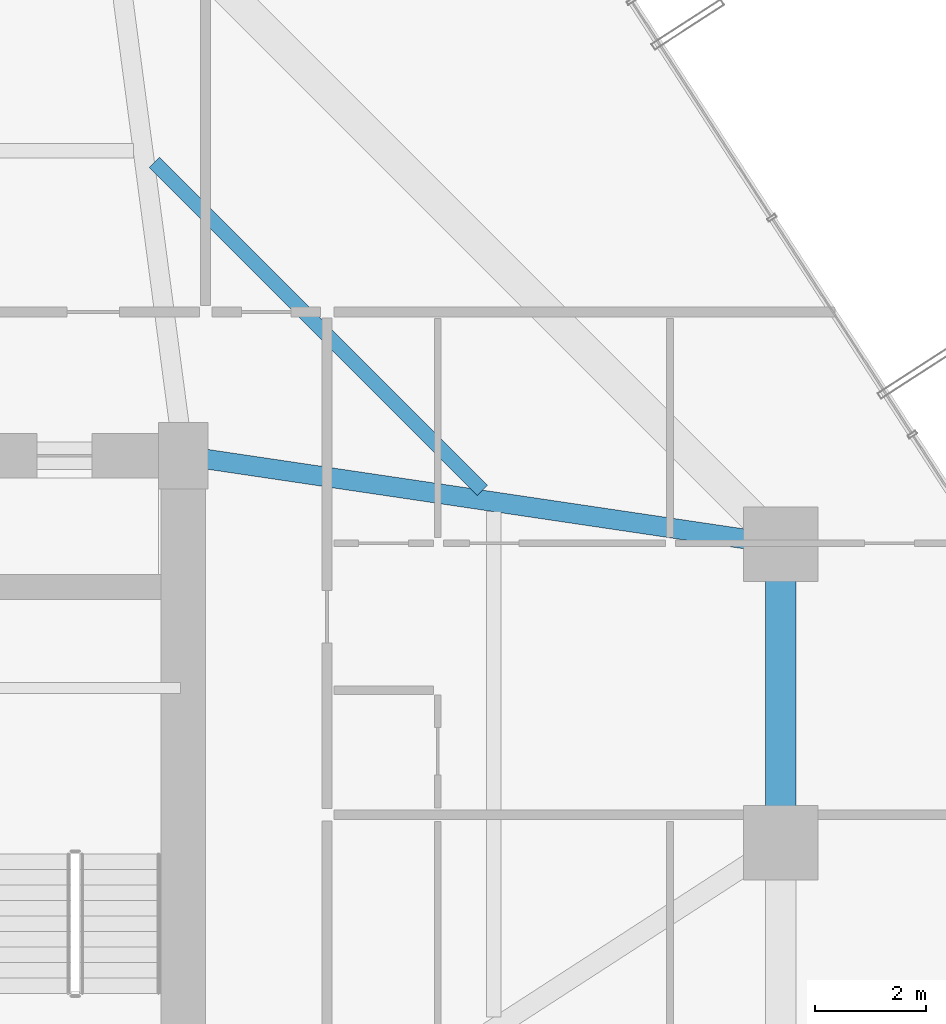
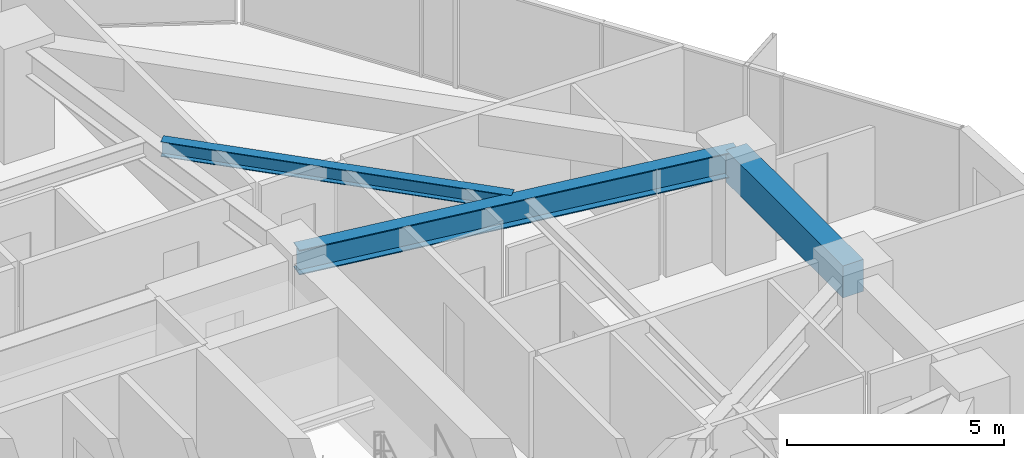
# One storey, part 19 of 37: 3 beams.
"""IFC4 building model written with IfcOpenShell, lengths in metres."""

import ifcopenshell
import ifcopenshell.guid

model = None  # the IFC model being written
_history = None  # IfcOwnerHistory: only IFC2X3 demands one
_inside = {}  # id of a spatial element -> (the spatial element, [elements in it])
_under = {}  # id of a project, library or spatial element -> (it, [spatial elements below it])
_declared = {}  # id of a project -> (the project, [libraries it declares])
_typed = {}  # id of a type object -> (the type object, [elements of that type])
_made_of = {}  # id of a material, layer set ... -> (it, [elements and type objects made of it])


def new_model(schema):
    """Start an empty IFC model of exactly this schema.

    Asked for "IFC4X3", IfcOpenShell would pick the latest addendum, in which some entities
    have other attributes; the version numbers below select the first issue.
    IFC2X3 requires an IfcOwnerHistory on every rooted entity: one is made here for all.
    """
    global model, _history
    if schema == "IFC4X3":
        model = ifcopenshell.file(schema_version=(4, 3, 0, 0))
    else:
        model = ifcopenshell.file(schema=schema)
    _inside.clear()
    _under.clear()
    _declared.clear()
    _typed.clear()
    _made_of.clear()
    _history = None
    if model.schema == "IFC2X3":
        org = make("IfcOrganization", Name="unknown")
        user = make(
            "IfcPersonAndOrganization",
            ThePerson=make("IfcPerson", FamilyName="unknown"),
            TheOrganization=org,
        )
        app = make(
            "IfcApplication",
            ApplicationDeveloper=org,
            Version="unknown",
            ApplicationFullName="unknown",
            ApplicationIdentifier="unknown",
        )
        _history = make(
            "IfcOwnerHistory",
            OwningUser=user,
            OwningApplication=app,
            ChangeAction="ADDED",
            CreationDate=0,
        )
    return model


def make(cls, **values):
    """One entity of the class cls with the attributes given. An attribute that is None is left unset."""
    return model.create_entity(
        cls, **{name: value for name, value in values.items() if value is not None}
    )


def rooted(cls, **values):
    """An entity with a GlobalId (a new one), such as an element, a storey or a relation."""
    return make(cls, GlobalId=ifcopenshell.guid.new(), OwnerHistory=_history, **values)


def si_unit(unit_type, name, prefix=None):
    """IfcSIUnit, for example si_unit("LENGTHUNIT", "METRE", prefix="MILLI")."""
    return make("IfcSIUnit", UnitType=unit_type, Prefix=prefix, Name=name)


def assignment(units):
    """IfcUnitAssignment: the units of a project."""
    return None if units is None else make("IfcUnitAssignment", Units=units)


def point(xyz):
    """IfcCartesianPoint."""
    return None if xyz is None else make("IfcCartesianPoint", Coordinates=xyz)


def direction(xyz):
    """IfcDirection."""
    return None if xyz is None else make("IfcDirection", DirectionRatios=xyz)


def frame(location, z_axis=None, x_axis=None):
    """IfcAxis2Placement3D, a coordinate frame: its origin and axes. An axis left out is left unset."""
    return make(
        "IfcAxis2Placement3D",
        Location=point(location),
        Axis=direction(z_axis),
        RefDirection=direction(x_axis),
    )


def frame_2d(location, x_axis=None):
    """IfcAxis2Placement2D, a coordinate frame in the plane: its origin and x axis."""
    return make(
        "IfcAxis2Placement2D", Location=point(location), RefDirection=direction(x_axis)
    )


def origin():
    """The frame at (0, 0, 0) with its axes left unset."""
    return frame((0.0, 0.0, 0.0))


def origin_2d():
    """The frame at (0, 0) in the plane with its x axis left unset."""
    return frame_2d((0.0, 0.0))


def place(relative_to, where):
    """IfcLocalPlacement: puts the frame where relative to a parent placement (None: the world)."""
    return make(
        "IfcLocalPlacement", PlacementRelTo=relative_to, RelativePlacement=where
    )


def context(
    kind, dimensions, precision=None, world=None, true_north=None, identifier=None
):
    """IfcGeometricRepresentationContext, for example the 3D "Model" context."""
    return make(
        "IfcGeometricRepresentationContext",
        ContextIdentifier=identifier,
        ContextType=kind,
        CoordinateSpaceDimension=dimensions,
        Precision=precision,
        WorldCoordinateSystem=world,
        TrueNorth=true_north,
    )


def subcontext(parent, identifier, kind, view, scale=None):
    """IfcGeometricRepresentationSubContext, for example "Body" below "Model"."""
    return make(
        "IfcGeometricRepresentationSubContext",
        ContextIdentifier=identifier,
        ContextType=kind,
        ParentContext=parent,
        TargetScale=scale,
        TargetView=view,
    )


def project(units=None, contexts=None):
    """IfcProject with its units and contexts."""
    return rooted(
        "IfcProject",
        Name="project",
        RepresentationContexts=contexts,
        UnitsInContext=assignment(units),
    )


def spatial(cls, under=None, at=None, **own):
    """A site, building, storey or space (cls), placed at a placement, below another one or the project."""
    s = rooted(cls, ObjectPlacement=at, **own)
    if under is not None:
        _under.setdefault(under.id(), (under, []))[1].append(s)
    return s


def profile(cls, at=None, kind="AREA", **sizes):
    """A parametric profile (cls). Its sizes go by their IFC names, for example OverallWidth=200.0."""
    return make(cls, ProfileType=kind, Position=at, **sizes)


def rectangle(**sizes):
    """IfcRectangleProfileDef."""
    return profile("IfcRectangleProfileDef", **sizes)


def i_section(**sizes):
    """IfcIShapeProfileDef."""
    return profile("IfcIShapeProfileDef", **sizes)


def extrude(swept, where, along, depth):
    """IfcExtrudedAreaSolid: the profile swept, set in the frame where, extruded along a direction by depth."""
    return make(
        "IfcExtrudedAreaSolid",
        SweptArea=swept,
        Position=where,
        ExtrudedDirection=direction(along),
        Depth=depth,
    )


def shape(context_of_items, identifier, shape_type, items):
    """IfcShapeRepresentation: the items that make up one representation, for example the "Body"."""
    return make(
        "IfcShapeRepresentation",
        ContextOfItems=context_of_items,
        RepresentationIdentifier=identifier,
        RepresentationType=shape_type,
        Items=items,
    )


def material(Name=None, Category=None):
    """IfcMaterial."""
    return make("IfcMaterial", Name=Name, Category=Category)


def material_profile(
    of_material, cross_section, Name=None, Category=None, Priority=None
):
    """IfcMaterialProfile: a cross section and its material."""
    return make(
        "IfcMaterialProfile",
        Name=Name,
        Material=of_material,
        Profile=cross_section,
        Priority=Priority,
        Category=Category,
    )


def profile_set(profiles, Name=None, composite=None):
    """IfcMaterialProfileSet."""
    return make(
        "IfcMaterialProfileSet",
        Name=Name,
        MaterialProfiles=profiles,
        CompositeProfile=composite,
    )


def made_of(thing, what):
    """Note that an element or type object is made of a material, layer set ...; save() writes the relation."""
    if what is not None:
        _made_of.setdefault(what.id(), (what, []))[1].append(thing)
    return thing


def type_object(cls, material=None, **own):
    """A type object (cls), such as IfcWallType, which elements share."""
    return made_of(rooted(cls, **own), material)


def element(
    cls,
    number,
    at=None,
    inside=None,
    cuts=None,
    type_object=None,
    material=None,
    context=None,
    identifier="Body",
    shape_type=None,
    held_by="IfcProductDefinitionShape",
    body=None,
    shapes=None,
    **own,
):
    """One element of the class cls, such as IfcWall. Its Tag is "e" and its number.

    at: its placement. inside: the storey or other place that contains it. cuts: it is an
    opening in that element (IfcRelVoidsElement). A single representation is given by context,
    identifier, shape_type and body (its items); several are given by shapes. held_by: the class
    of the entity that holds the representations. save() writes the other relations.
    """
    e = rooted(cls, Tag="e%d" % number, ObjectPlacement=at, **own)
    if body is not None:
        shapes = [shape(context, identifier, shape_type, body)]
    if shapes is not None:
        e.Representation = make(held_by, Representations=shapes)
    if inside is not None:
        _inside.setdefault(inside.id(), (inside, []))[1].append(e)
    if cuts is not None:
        rooted(
            "IfcRelVoidsElement", RelatingBuildingElement=cuts, RelatedOpeningElement=e
        )
    if type_object is not None:
        _typed.setdefault(type_object.id(), (type_object, []))[1].append(e)
    return made_of(e, material)


def aggregate(whole, parts):
    """IfcRelAggregates: a whole, such as a stair, and the parts it consists of."""
    return rooted("IfcRelAggregates", RelatingObject=whole, RelatedObjects=parts)


def save(model, path):
    """Write the relations noted so far, then the file.

    IfcRelAggregates (storeys below a building ...), IfcRelContainedInSpatialStructure (elements
    in a storey), IfcRelDefinesByType, IfcRelAssociatesMaterial and IfcRelDeclares: one each for
    every whole, place, type object, material and project.
    """
    for whole, parts in _under.values():
        aggregate(whole, parts)
    for where, things in _inside.values():
        rooted(
            "IfcRelContainedInSpatialStructure",
            RelatedElements=things,
            RelatingStructure=where,
        )
    for kind, things in _typed.values():
        rooted("IfcRelDefinesByType", RelatedObjects=things, RelatingType=kind)
    for what, things in _made_of.values():
        rooted("IfcRelAssociatesMaterial", RelatedObjects=things, RelatingMaterial=what)
    for by, libraries in _declared.values():
        rooted("IfcRelDeclares", RelatingContext=by, RelatedDefinitions=libraries)
    model.write(path)


model = new_model("IFC4")

# Units and contexts
model_context = context("Model", 3, precision=1e-05, world=origin(), true_north=direction((0.0, 1.0)))
body_context = subcontext(model_context, "Body", "Model", "MODEL_VIEW")
ifc_project = project(units=[si_unit("LENGTHUNIT", "METRE"), si_unit("AREAUNIT", "SQUARE_METRE"), si_unit("VOLUMEUNIT", "CUBIC_METRE"), si_unit("PLANEANGLEUNIT", "RADIAN"), si_unit("MASSUNIT", "GRAM", prefix="KILO")], contexts=[model_context])

# Site, building, storey
site_placement = place(None, origin())
site = spatial("IfcSite", under=ifc_project, at=site_placement, CompositionType="ELEMENT")
building_placement = place(site_placement, origin())
building = spatial("IfcBuilding", under=site, at=building_placement, Name="Veraguas Prism Commons", CompositionType="ELEMENT")
storey_placement = place(building_placement, frame((0.0, 0.0, 33.800048828125)))
storey = spatial("IfcBuildingStorey", under=building, at=storey_placement, Name="L08", CompositionType="ELEMENT", Elevation=33.800048828125)

# Beams
ifc_material_1 = material(Name="Steel ASTM A992 Grade 50", Category="steel")
ifc_material_profile_1 = material_profile(ifc_material_1, i_section(OverallWidth=0.260986328125, OverallDepth=0.419921875, WebThickness=0.01171875, FlangeThickness=0.019287109375, at=origin_2d()), Name="W410X114")
ifc_profile_set_1 = profile_set([ifc_material_profile_1], Name="Steel ASTM A992 Grade 50")
beam_type_1 = type_object("IfcBeamType", Name="Lower Floor Joist W410x114", PredefinedType="JOIST", material=ifc_profile_set_1)
beam_1_placement = place(storey_placement, frame((36.20703125, 30.376953125, 2.7900390625), z_axis=(-0.707092226423, 0.70712133565, 0.0), x_axis=(-0.70712133565, -0.707092226423, 0.0)))
element("IfcBeam", 1, at=beam_1_placement, inside=storey, type_object=beam_type_1, Name="Composite Floor Joist L08-JS03", PredefinedType="JOIST", context=body_context, shape_type="SweptSolid", body=[
    extrude(i_section(OverallWidth=0.260986328125, OverallDepth=0.419921875, WebThickness=0.01171875, FlangeThickness=0.019287109375, at=origin_2d()), origin(), (0.0, 0.0, 1.0), 8.386962890625),
])
ifc_material_2 = material(Name="Concrete C50/60", Category="concrete")
ifc_material_profile_2 = material_profile(ifc_material_2, rectangle(XDim=0.550048828125, YDim=0.89990234375, at=origin_2d()), Name="RC550X900")
ifc_profile_set_2 = profile_set([ifc_material_profile_2], Name="Concrete C50/60")
beam_type_2 = type_object("IfcBeamType", Name="Perimeter Spandrel Lower RC 550x900", PredefinedType="SPANDREL", material=ifc_profile_set_2)
beam_2_placement = place(storey_placement, frame((41.60009765625, 24.0, 2.550048828125), z_axis=(0.0, 1.0, 0.0), x_axis=(-1.0, 0.0, 0.0)))
element("IfcBeam", 2, at=beam_2_placement, inside=storey, type_object=beam_type_2, Name="Perimeter Spandrel Beam L08-SP02", PredefinedType="SPANDREL", context=body_context, shape_type="SweptSolid", body=[
    extrude(rectangle(XDim=0.550048828125, YDim=0.89990234375, at=origin_2d()), origin(), (0.0, 0.0, 1.0), 5.39990234375),
])
ifc_material_profile_3 = material_profile(ifc_material_1, i_section(OverallWidth=0.35595703125, OverallDepth=0.700927734375, WebThickness=0.016845703125, FlangeThickness=0.02734375, at=origin_2d()), Name="W690X240")
ifc_profile_set_3 = profile_set([ifc_material_profile_3], Name="Steel ASTM A992 Grade 50")
beam_type_3 = type_object("IfcBeamType", Name="Zone 1 Radial Girder W690x240", PredefinedType="BEAM", material=ifc_profile_set_3)
beam_3_placement = place(storey_placement, frame((41.60009765625, 29.39990234375, 2.6494140625), z_axis=(-0.989202261707, 0.146556765224, 0.0), x_axis=(-0.146556765224, -0.989202261707, 0.0)))
element("IfcBeam", 3, at=beam_3_placement, inside=storey, type_object=beam_type_3, Name="Radial Floor Girder L08-RD03", PredefinedType="BEAM", context=body_context, shape_type="SweptSolid", body=[
    extrude(i_section(OverallWidth=0.35595703125, OverallDepth=0.700927734375, WebThickness=0.016845703125, FlangeThickness=0.02734375, at=origin_2d()), origin(), (0.0, 0.0, 1.0), 10.91796875),
])

save(model, "model.ifc")
